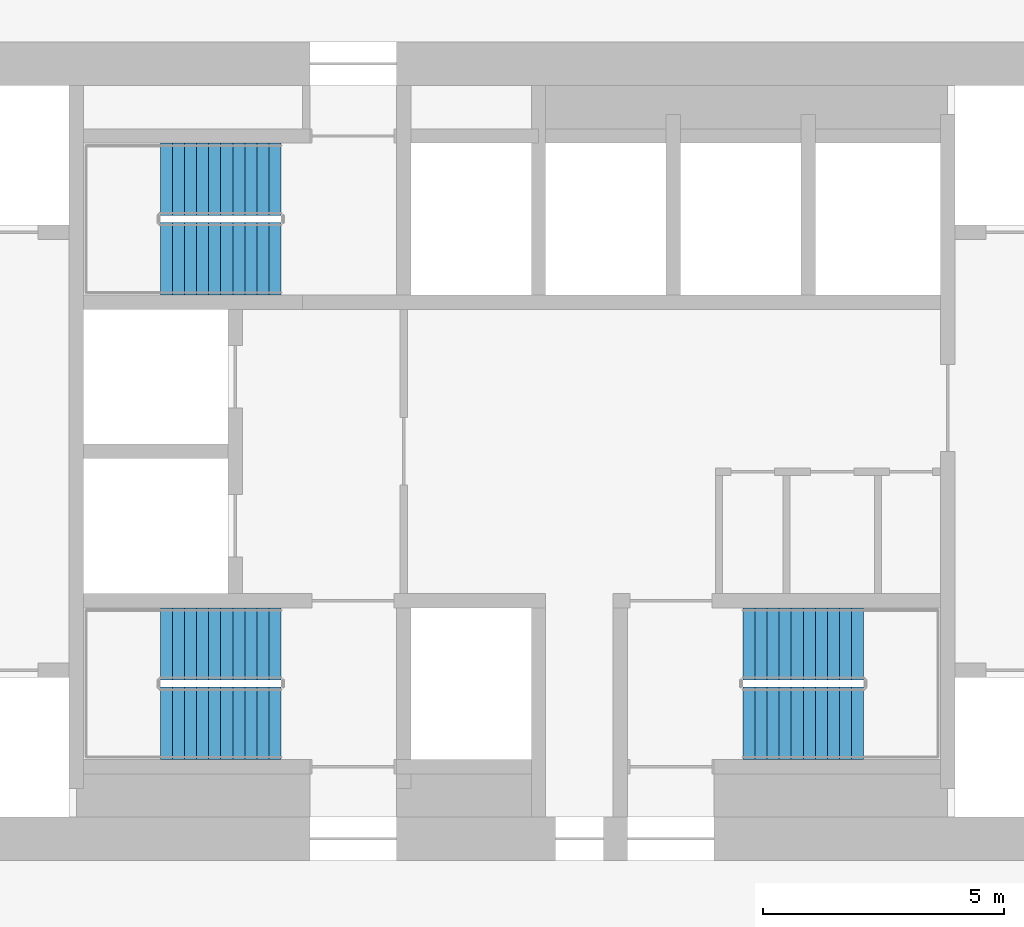
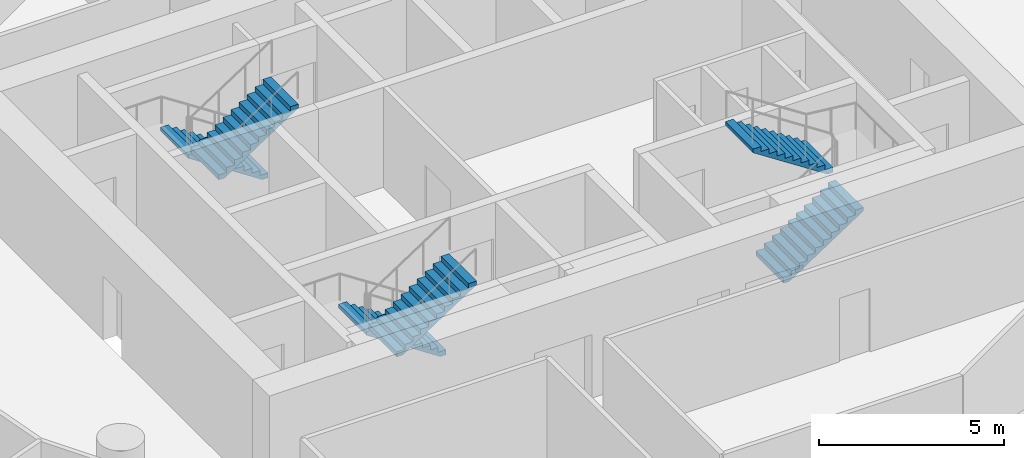
# One storey, part 8 of 9: 6 stair flights, 3 elements without a shape of their own.
"""IFC4 building model written with IfcOpenShell, lengths in metres."""

from ifc_helpers import new_model, si_unit, direction, frame, origin, place, context, subcontext, project, spatial, polyline, outline, extrude, material, type_object, element, aggregate, save


model = new_model("IFC4")

# Units and contexts
model_context = context("Model", 3, precision=1e-05, world=origin(), true_north=direction((0.0, 1.0)))
body_context = subcontext(model_context, "Body", "Model", "MODEL_VIEW")
ifc_project = project(units=[si_unit("LENGTHUNIT", "METRE"), si_unit("AREAUNIT", "SQUARE_METRE"), si_unit("VOLUMEUNIT", "CUBIC_METRE"), si_unit("PLANEANGLEUNIT", "RADIAN"), si_unit("MASSUNIT", "GRAM", prefix="KILO")], contexts=[model_context])

# Site, building, storey
site_placement = place(None, origin())
site = spatial("IfcSite", under=ifc_project, at=site_placement, CompositionType="ELEMENT")
building_placement = place(site_placement, origin())
building = spatial("IfcBuilding", under=site, at=building_placement, Name="Tracery Tower", CompositionType="ELEMENT")
storey_placement = place(building_placement, frame((0.0, 0.0, 169.199951171875)))
storey = spatial("IfcBuildingStorey", under=building, at=storey_placement, Name="L43", CompositionType="ELEMENT", Elevation=169.199951171875)

# Stair, stair flights
ifc_material_1 = material(Name="Concrete C32/40", Category="concrete")
stair_type = type_object("IfcStairType", Name="Core stair 22 risers", PredefinedType="HALF_TURN_STAIR", material=ifc_material_1)
stair_1_placement = place(storey_placement, origin())
stair_1 = element("IfcStair", 1, at=stair_1_placement, inside=storey, type_object=stair_type, Name="L43 stair ST1", PredefinedType="HALF_TURN_STAIR")
ifc_material_2 = material(Name="Concrete C32/40", Category="concrete")
stair_flight_type = type_object("IfcStairFlightType", Name="Core stair flight 11 risers", PredefinedType="STRAIGHT", material=ifc_material_2)
stair_flight_1_placement = place(storey_placement, frame((-4.800048828125, -4.0, 0.0), z_axis=(0.0, 0.0, 1.0), x_axis=(-1.0, 0.0, 0.0)))
stair_flight_1 = element("IfcStairFlight", 2, at=stair_flight_1_placement, type_object=stair_flight_type, Name="ST1 flight 1", NumberOfRisers=11, NumberOfTreads=10, PredefinedType="STRAIGHT", RiserHeight=0.163636364, TreadLength=0.25, context=body_context, shape_type="SweptSolid", body=[
    extrude(outline(polyline([(0.0, 0.0), (0.0, 0.002685546875), (0.0, 0.00537109375), (0.0, 0.008056640625), (0.0, 0.0107421875), (0.0, 0.013427734375), (0.0, 0.01611328125), (0.0, 0.018798828125), (0.0, 0.021484375), (0.0, 0.024169921875), (0.0, 0.02685546875), (0.0, 0.029541015625), (0.0, 0.0322265625), (0.0, 0.034912109375), (0.0, 0.03759765625), (0.0, 0.040283203125), (0.0, 0.04296875), (0.0, 0.045654296875), (0.0, 0.04833984375), (0.0, 0.051025390625), (0.0, 0.0537109375), (0.0, 0.056396484375), (0.0, 0.05908203125), (0.0, 0.061767578125), (0.0, 0.064453125), (0.0, 0.067138671875), (0.0, 0.06982421875), (0.0, 0.072509765625), (0.0, 0.0751953125), (0.0, 0.077880859375), (0.0, 0.08056640625), (0.0, 0.083251953125), (0.0, 0.0859375), (0.0, 0.088623046875), (0.0, 0.09130859375), (0.0, 0.093994140625), (0.0, 0.0966796875), (0.0, 0.099365234375), (0.0, 0.10205078125), (0.0, 0.104736328125), (0.0, 0.107421875), (0.0, 0.10986328125), (0.0, 0.112548828125), (0.0, 0.115234375), (0.0, 0.117919921875), (0.0, 0.12060546875), (0.0, 0.123291015625), (0.0, 0.1259765625), (0.0, 0.128662109375), (0.0, 0.13134765625), (0.0, 0.134033203125), (0.0, 0.13671875), (0.0, 0.139404296875), (0.0, 0.14208984375), (0.0, 0.144775390625), (0.0, 0.1474609375), (0.0, 0.150146484375), (0.0, 0.15283203125), (0.0, 0.155517578125), (0.0, 0.158203125), (0.0, 0.160888671875), (0.0, 0.16357421875), (0.25, 0.16357421875), (0.25, 0.327392578125), (0.5, 0.327392578125), (0.5, 0.490966796875), (0.75, 0.490966796875), (0.75, 0.654541015625), (1.0, 0.654541015625), (1.0, 0.818115234375), (1.25, 0.818115234375), (1.25, 0.98193359375), (1.5, 0.98193359375), (1.5, 1.1455078125), (1.75, 1.1455078125), (1.75, 1.30908203125), (2.0, 1.30908203125), (2.0, 1.47265625), (2.25, 1.47265625), (2.25, 1.636474609375), (2.5, 1.636474609375), (2.5, 1.634521484375), (2.5, 1.63232421875), (2.5, 1.63037109375), (2.5, 1.62841796875), (2.5, 1.62646484375), (2.5, 1.62451171875), (2.5, 1.62255859375), (2.5, 1.62060546875), (2.5, 1.61865234375), (2.5, 1.61669921875), (2.5, 1.61474609375), (2.5, 1.61279296875), (2.5, 1.61083984375), (2.5, 1.60888671875), (2.5, 1.60693359375), (2.5, 1.60498046875), (2.5, 1.60302734375), (2.5, 1.60107421875), (2.5, 1.59912109375), (2.5, 1.59716796875), (2.5, 1.59521484375), (2.5, 1.59326171875), (2.5, 1.59130859375), (2.5, 1.58935546875), (2.5, 1.58740234375), (2.5, 1.58544921875), (2.5, 1.58349609375), (2.5, 1.58154296875), (2.5, 1.57958984375), (2.5, 1.57763671875), (2.5, 1.57568359375), (2.5, 1.573486328125), (2.5, 1.571533203125), (2.5, 1.569580078125), (2.5, 1.567626953125), (2.5, 1.565673828125), (2.5, 1.563720703125), (2.5, 1.561767578125), (2.5, 1.559814453125), (2.5, 1.557861328125), (2.5, 1.555908203125), (2.5, 1.553955078125), (2.5, 1.552001953125), (2.5, 1.550048828125), (2.5, 1.548095703125), (2.5, 1.546142578125), (2.5, 1.544189453125), (2.5, 1.542236328125), (2.5, 1.540283203125), (2.5, 1.538330078125), (2.5, 1.536376953125), (2.5, 1.534423828125), (2.5, 1.532470703125), (2.5, 1.530517578125), (2.5, 1.528564453125), (2.5, 1.526611328125), (2.5, 1.524658203125), (2.5, 1.522705078125), (2.5, 1.520751953125), (2.5, 1.518798828125), (2.5, 1.516845703125), (0.182861328125, 0.0), (0.0, 0.0)])), frame((0.0, 0.75, 0.0), z_axis=(0.0, -1.0, 0.0), x_axis=(1.0, 0.0, 0.0)), (0.0, 0.0, 1.0), 1.5),
])
stair_flight_2_placement = place(storey_placement, frame((-7.300048828125, -5.64990234375, 1.800048828125), z_axis=(0.0, 0.0, 1.0), x_axis=(1.0, 0.0, 0.0)))
stair_flight_2 = element("IfcStairFlight", 3, at=stair_flight_2_placement, type_object=stair_flight_type, Name="ST1 flight 2", NumberOfRisers=11, NumberOfTreads=10, PredefinedType="STRAIGHT", RiserHeight=0.163636364, TreadLength=0.25, context=body_context, shape_type="SweptSolid", body=[
    extrude(outline(polyline([(0.0, 0.0), (0.0, 0.002685546875), (0.0, 0.00537109375), (0.0, 0.008056640625), (0.0, 0.0107421875), (0.0, 0.013427734375), (0.0, 0.01611328125), (0.0, 0.018798828125), (0.0, 0.021484375), (0.0, 0.024169921875), (0.0, 0.02685546875), (0.0, 0.029541015625), (0.0, 0.0322265625), (0.0, 0.034912109375), (0.0, 0.03759765625), (0.0, 0.040283203125), (0.0, 0.04296875), (0.0, 0.045654296875), (0.0, 0.04833984375), (0.0, 0.051025390625), (0.0, 0.0537109375), (0.0, 0.056396484375), (0.0, 0.05908203125), (0.0, 0.061767578125), (0.0, 0.064453125), (0.0, 0.067138671875), (0.0, 0.06982421875), (0.0, 0.072509765625), (0.0, 0.0751953125), (0.0, 0.077880859375), (0.0, 0.08056640625), (0.0, 0.083251953125), (0.0, 0.0859375), (0.0, 0.088623046875), (0.0, 0.09130859375), (0.0, 0.093994140625), (0.0, 0.0966796875), (0.0, 0.099365234375), (0.0, 0.10205078125), (0.0, 0.104736328125), (0.0, 0.107421875), (0.0, 0.10986328125), (0.0, 0.112548828125), (0.0, 0.115234375), (0.0, 0.117919921875), (0.0, 0.12060546875), (0.0, 0.123291015625), (0.0, 0.1259765625), (0.0, 0.128662109375), (0.0, 0.13134765625), (0.0, 0.134033203125), (0.0, 0.13671875), (0.0, 0.139404296875), (0.0, 0.14208984375), (0.0, 0.144775390625), (0.0, 0.1474609375), (0.0, 0.150146484375), (0.0, 0.15283203125), (0.0, 0.155517578125), (0.0, 0.158203125), (0.0, 0.160888671875), (0.0, 0.16357421875), (0.25, 0.16357421875), (0.25, 0.327392578125), (0.5, 0.327392578125), (0.5, 0.490966796875), (0.75, 0.490966796875), (0.75, 0.654541015625), (1.0, 0.654541015625), (1.0, 0.818115234375), (1.25, 0.818115234375), (1.25, 0.98193359375), (1.5, 0.98193359375), (1.5, 1.1455078125), (1.75, 1.1455078125), (1.75, 1.30908203125), (2.0, 1.30908203125), (2.0, 1.47265625), (2.25, 1.47265625), (2.25, 1.636474609375), (2.5, 1.636474609375), (2.5, 1.634521484375), (2.5, 1.63232421875), (2.5, 1.63037109375), (2.5, 1.62841796875), (2.5, 1.62646484375), (2.5, 1.62451171875), (2.5, 1.62255859375), (2.5, 1.62060546875), (2.5, 1.61865234375), (2.5, 1.61669921875), (2.5, 1.61474609375), (2.5, 1.61279296875), (2.5, 1.61083984375), (2.5, 1.60888671875), (2.5, 1.60693359375), (2.5, 1.60498046875), (2.5, 1.60302734375), (2.5, 1.60107421875), (2.5, 1.59912109375), (2.5, 1.59716796875), (2.5, 1.59521484375), (2.5, 1.59326171875), (2.5, 1.59130859375), (2.5, 1.58935546875), (2.5, 1.58740234375), (2.5, 1.58544921875), (2.5, 1.58349609375), (2.5, 1.58154296875), (2.5, 1.57958984375), (2.5, 1.57763671875), (2.5, 1.57568359375), (2.5, 1.573486328125), (2.5, 1.571533203125), (2.5, 1.569580078125), (2.5, 1.567626953125), (2.5, 1.565673828125), (2.5, 1.563720703125), (2.5, 1.561767578125), (2.5, 1.559814453125), (2.5, 1.557861328125), (2.5, 1.555908203125), (2.5, 1.553955078125), (2.5, 1.552001953125), (2.5, 1.550048828125), (2.5, 1.548095703125), (2.5, 1.546142578125), (2.5, 1.544189453125), (2.5, 1.542236328125), (2.5, 1.540283203125), (2.5, 1.538330078125), (2.5, 1.536376953125), (2.5, 1.534423828125), (2.5, 1.532470703125), (2.5, 1.530517578125), (2.5, 1.528564453125), (2.5, 1.526611328125), (2.5, 1.524658203125), (2.5, 1.522705078125), (2.5, 1.520751953125), (2.5, 1.518798828125), (2.5, 1.516845703125), (0.182861328125, 0.0), (0.0, 0.0)])), frame((0.0, 0.75, 0.0), z_axis=(0.0, -1.0, 0.0), x_axis=(1.0, 0.0, 0.0)), (0.0, 0.0, 1.0), 1.5),
])
aggregate(stair_1, [stair_flight_1, stair_flight_2])

stair_2_placement = place(storey_placement, origin())
stair_2 = element("IfcStair", 4, at=stair_2_placement, inside=storey, type_object=stair_type, Name="L43 stair ST3", PredefinedType="HALF_TURN_STAIR")
stair_flight_3_placement = place(storey_placement, frame((-4.800048828125, 5.64990234375, 0.0), z_axis=(0.0, 0.0, 1.0), x_axis=(-1.0, 0.0, 0.0)))
stair_flight_3 = element("IfcStairFlight", 5, at=stair_flight_3_placement, type_object=stair_flight_type, Name="ST3 flight 1", NumberOfRisers=11, NumberOfTreads=10, PredefinedType="STRAIGHT", RiserHeight=0.163636364, TreadLength=0.25, context=body_context, shape_type="SweptSolid", body=[
    extrude(outline(polyline([(0.0, 0.0), (0.0, 0.002685546875), (0.0, 0.00537109375), (0.0, 0.008056640625), (0.0, 0.0107421875), (0.0, 0.013427734375), (0.0, 0.01611328125), (0.0, 0.018798828125), (0.0, 0.021484375), (0.0, 0.024169921875), (0.0, 0.02685546875), (0.0, 0.029541015625), (0.0, 0.0322265625), (0.0, 0.034912109375), (0.0, 0.03759765625), (0.0, 0.040283203125), (0.0, 0.04296875), (0.0, 0.045654296875), (0.0, 0.04833984375), (0.0, 0.051025390625), (0.0, 0.0537109375), (0.0, 0.056396484375), (0.0, 0.05908203125), (0.0, 0.061767578125), (0.0, 0.064453125), (0.0, 0.067138671875), (0.0, 0.06982421875), (0.0, 0.072509765625), (0.0, 0.0751953125), (0.0, 0.077880859375), (0.0, 0.08056640625), (0.0, 0.083251953125), (0.0, 0.0859375), (0.0, 0.088623046875), (0.0, 0.09130859375), (0.0, 0.093994140625), (0.0, 0.0966796875), (0.0, 0.099365234375), (0.0, 0.10205078125), (0.0, 0.104736328125), (0.0, 0.107421875), (0.0, 0.10986328125), (0.0, 0.112548828125), (0.0, 0.115234375), (0.0, 0.117919921875), (0.0, 0.12060546875), (0.0, 0.123291015625), (0.0, 0.1259765625), (0.0, 0.128662109375), (0.0, 0.13134765625), (0.0, 0.134033203125), (0.0, 0.13671875), (0.0, 0.139404296875), (0.0, 0.14208984375), (0.0, 0.144775390625), (0.0, 0.1474609375), (0.0, 0.150146484375), (0.0, 0.15283203125), (0.0, 0.155517578125), (0.0, 0.158203125), (0.0, 0.160888671875), (0.0, 0.16357421875), (0.25, 0.16357421875), (0.25, 0.327392578125), (0.5, 0.327392578125), (0.5, 0.490966796875), (0.75, 0.490966796875), (0.75, 0.654541015625), (1.0, 0.654541015625), (1.0, 0.818115234375), (1.25, 0.818115234375), (1.25, 0.98193359375), (1.5, 0.98193359375), (1.5, 1.1455078125), (1.75, 1.1455078125), (1.75, 1.30908203125), (2.0, 1.30908203125), (2.0, 1.47265625), (2.25, 1.47265625), (2.25, 1.636474609375), (2.5, 1.636474609375), (2.5, 1.634521484375), (2.5, 1.63232421875), (2.5, 1.63037109375), (2.5, 1.62841796875), (2.5, 1.62646484375), (2.5, 1.62451171875), (2.5, 1.62255859375), (2.5, 1.62060546875), (2.5, 1.61865234375), (2.5, 1.61669921875), (2.5, 1.61474609375), (2.5, 1.61279296875), (2.5, 1.61083984375), (2.5, 1.60888671875), (2.5, 1.60693359375), (2.5, 1.60498046875), (2.5, 1.60302734375), (2.5, 1.60107421875), (2.5, 1.59912109375), (2.5, 1.59716796875), (2.5, 1.59521484375), (2.5, 1.59326171875), (2.5, 1.59130859375), (2.5, 1.58935546875), (2.5, 1.58740234375), (2.5, 1.58544921875), (2.5, 1.58349609375), (2.5, 1.58154296875), (2.5, 1.57958984375), (2.5, 1.57763671875), (2.5, 1.57568359375), (2.5, 1.573486328125), (2.5, 1.571533203125), (2.5, 1.569580078125), (2.5, 1.567626953125), (2.5, 1.565673828125), (2.5, 1.563720703125), (2.5, 1.561767578125), (2.5, 1.559814453125), (2.5, 1.557861328125), (2.5, 1.555908203125), (2.5, 1.553955078125), (2.5, 1.552001953125), (2.5, 1.550048828125), (2.5, 1.548095703125), (2.5, 1.546142578125), (2.5, 1.544189453125), (2.5, 1.542236328125), (2.5, 1.540283203125), (2.5, 1.538330078125), (2.5, 1.536376953125), (2.5, 1.534423828125), (2.5, 1.532470703125), (2.5, 1.530517578125), (2.5, 1.528564453125), (2.5, 1.526611328125), (2.5, 1.524658203125), (2.5, 1.522705078125), (2.5, 1.520751953125), (2.5, 1.518798828125), (2.5, 1.516845703125), (0.182861328125, 0.0), (0.0, 0.0)])), frame((0.0, 0.75, 0.0), z_axis=(0.0, -1.0, 0.0), x_axis=(1.0, 0.0, 0.0)), (0.0, 0.0, 1.0), 1.5),
])
stair_flight_4_placement = place(storey_placement, frame((-7.300048828125, 4.0, 1.800048828125), z_axis=(0.0, 0.0, 1.0), x_axis=(1.0, 0.0, 0.0)))
stair_flight_4 = element("IfcStairFlight", 6, at=stair_flight_4_placement, type_object=stair_flight_type, Name="ST3 flight 2", NumberOfRisers=11, NumberOfTreads=10, PredefinedType="STRAIGHT", RiserHeight=0.163636364, TreadLength=0.25, context=body_context, shape_type="SweptSolid", body=[
    extrude(outline(polyline([(0.0, 0.0), (0.0, 0.002685546875), (0.0, 0.00537109375), (0.0, 0.008056640625), (0.0, 0.0107421875), (0.0, 0.013427734375), (0.0, 0.01611328125), (0.0, 0.018798828125), (0.0, 0.021484375), (0.0, 0.024169921875), (0.0, 0.02685546875), (0.0, 0.029541015625), (0.0, 0.0322265625), (0.0, 0.034912109375), (0.0, 0.03759765625), (0.0, 0.040283203125), (0.0, 0.04296875), (0.0, 0.045654296875), (0.0, 0.04833984375), (0.0, 0.051025390625), (0.0, 0.0537109375), (0.0, 0.056396484375), (0.0, 0.05908203125), (0.0, 0.061767578125), (0.0, 0.064453125), (0.0, 0.067138671875), (0.0, 0.06982421875), (0.0, 0.072509765625), (0.0, 0.0751953125), (0.0, 0.077880859375), (0.0, 0.08056640625), (0.0, 0.083251953125), (0.0, 0.0859375), (0.0, 0.088623046875), (0.0, 0.09130859375), (0.0, 0.093994140625), (0.0, 0.0966796875), (0.0, 0.099365234375), (0.0, 0.10205078125), (0.0, 0.104736328125), (0.0, 0.107421875), (0.0, 0.10986328125), (0.0, 0.112548828125), (0.0, 0.115234375), (0.0, 0.117919921875), (0.0, 0.12060546875), (0.0, 0.123291015625), (0.0, 0.1259765625), (0.0, 0.128662109375), (0.0, 0.13134765625), (0.0, 0.134033203125), (0.0, 0.13671875), (0.0, 0.139404296875), (0.0, 0.14208984375), (0.0, 0.144775390625), (0.0, 0.1474609375), (0.0, 0.150146484375), (0.0, 0.15283203125), (0.0, 0.155517578125), (0.0, 0.158203125), (0.0, 0.160888671875), (0.0, 0.16357421875), (0.25, 0.16357421875), (0.25, 0.327392578125), (0.5, 0.327392578125), (0.5, 0.490966796875), (0.75, 0.490966796875), (0.75, 0.654541015625), (1.0, 0.654541015625), (1.0, 0.818115234375), (1.25, 0.818115234375), (1.25, 0.98193359375), (1.5, 0.98193359375), (1.5, 1.1455078125), (1.75, 1.1455078125), (1.75, 1.30908203125), (2.0, 1.30908203125), (2.0, 1.47265625), (2.25, 1.47265625), (2.25, 1.636474609375), (2.5, 1.636474609375), (2.5, 1.634521484375), (2.5, 1.63232421875), (2.5, 1.63037109375), (2.5, 1.62841796875), (2.5, 1.62646484375), (2.5, 1.62451171875), (2.5, 1.62255859375), (2.5, 1.62060546875), (2.5, 1.61865234375), (2.5, 1.61669921875), (2.5, 1.61474609375), (2.5, 1.61279296875), (2.5, 1.61083984375), (2.5, 1.60888671875), (2.5, 1.60693359375), (2.5, 1.60498046875), (2.5, 1.60302734375), (2.5, 1.60107421875), (2.5, 1.59912109375), (2.5, 1.59716796875), (2.5, 1.59521484375), (2.5, 1.59326171875), (2.5, 1.59130859375), (2.5, 1.58935546875), (2.5, 1.58740234375), (2.5, 1.58544921875), (2.5, 1.58349609375), (2.5, 1.58154296875), (2.5, 1.57958984375), (2.5, 1.57763671875), (2.5, 1.57568359375), (2.5, 1.573486328125), (2.5, 1.571533203125), (2.5, 1.569580078125), (2.5, 1.567626953125), (2.5, 1.565673828125), (2.5, 1.563720703125), (2.5, 1.561767578125), (2.5, 1.559814453125), (2.5, 1.557861328125), (2.5, 1.555908203125), (2.5, 1.553955078125), (2.5, 1.552001953125), (2.5, 1.550048828125), (2.5, 1.548095703125), (2.5, 1.546142578125), (2.5, 1.544189453125), (2.5, 1.542236328125), (2.5, 1.540283203125), (2.5, 1.538330078125), (2.5, 1.536376953125), (2.5, 1.534423828125), (2.5, 1.532470703125), (2.5, 1.530517578125), (2.5, 1.528564453125), (2.5, 1.526611328125), (2.5, 1.524658203125), (2.5, 1.522705078125), (2.5, 1.520751953125), (2.5, 1.518798828125), (2.5, 1.516845703125), (0.182861328125, 0.0), (0.0, 0.0)])), frame((0.0, 0.75, 0.0), z_axis=(0.0, -1.0, 0.0), x_axis=(1.0, 0.0, 0.0)), (0.0, 0.0, 1.0), 1.5),
])
aggregate(stair_2, [stair_flight_3, stair_flight_4])

stair_3_placement = place(storey_placement, origin())
stair_3 = element("IfcStair", 7, at=stair_3_placement, inside=storey, type_object=stair_type, Name="L43 stair ST2", PredefinedType="HALF_TURN_STAIR")
stair_flight_5_placement = place(storey_placement, frame((4.800048828125, -5.64990234375, 0.0), z_axis=(0.0, 0.0, 1.0), x_axis=(1.0, 0.0, 0.0)))
stair_flight_5 = element("IfcStairFlight", 8, at=stair_flight_5_placement, type_object=stair_flight_type, Name="ST2 flight 1", NumberOfRisers=11, NumberOfTreads=10, PredefinedType="STRAIGHT", RiserHeight=0.163636364, TreadLength=0.25, context=body_context, shape_type="SweptSolid", body=[
    extrude(outline(polyline([(0.0, 0.0), (0.0, 0.002685546875), (0.0, 0.00537109375), (0.0, 0.008056640625), (0.0, 0.0107421875), (0.0, 0.013427734375), (0.0, 0.01611328125), (0.0, 0.018798828125), (0.0, 0.021484375), (0.0, 0.024169921875), (0.0, 0.02685546875), (0.0, 0.029541015625), (0.0, 0.0322265625), (0.0, 0.034912109375), (0.0, 0.03759765625), (0.0, 0.040283203125), (0.0, 0.04296875), (0.0, 0.045654296875), (0.0, 0.04833984375), (0.0, 0.051025390625), (0.0, 0.0537109375), (0.0, 0.056396484375), (0.0, 0.05908203125), (0.0, 0.061767578125), (0.0, 0.064453125), (0.0, 0.067138671875), (0.0, 0.06982421875), (0.0, 0.072509765625), (0.0, 0.0751953125), (0.0, 0.077880859375), (0.0, 0.08056640625), (0.0, 0.083251953125), (0.0, 0.0859375), (0.0, 0.088623046875), (0.0, 0.09130859375), (0.0, 0.093994140625), (0.0, 0.0966796875), (0.0, 0.099365234375), (0.0, 0.10205078125), (0.0, 0.104736328125), (0.0, 0.107421875), (0.0, 0.10986328125), (0.0, 0.112548828125), (0.0, 0.115234375), (0.0, 0.117919921875), (0.0, 0.12060546875), (0.0, 0.123291015625), (0.0, 0.1259765625), (0.0, 0.128662109375), (0.0, 0.13134765625), (0.0, 0.134033203125), (0.0, 0.13671875), (0.0, 0.139404296875), (0.0, 0.14208984375), (0.0, 0.144775390625), (0.0, 0.1474609375), (0.0, 0.150146484375), (0.0, 0.15283203125), (0.0, 0.155517578125), (0.0, 0.158203125), (0.0, 0.160888671875), (0.0, 0.16357421875), (0.25, 0.16357421875), (0.25, 0.327392578125), (0.5, 0.327392578125), (0.5, 0.490966796875), (0.75, 0.490966796875), (0.75, 0.654541015625), (1.0, 0.654541015625), (1.0, 0.818115234375), (1.25, 0.818115234375), (1.25, 0.98193359375), (1.5, 0.98193359375), (1.5, 1.1455078125), (1.75, 1.1455078125), (1.75, 1.30908203125), (2.0, 1.30908203125), (2.0, 1.47265625), (2.25, 1.47265625), (2.25, 1.636474609375), (2.5, 1.636474609375), (2.5, 1.634521484375), (2.5, 1.63232421875), (2.5, 1.63037109375), (2.5, 1.62841796875), (2.5, 1.62646484375), (2.5, 1.62451171875), (2.5, 1.62255859375), (2.5, 1.62060546875), (2.5, 1.61865234375), (2.5, 1.61669921875), (2.5, 1.61474609375), (2.5, 1.61279296875), (2.5, 1.61083984375), (2.5, 1.60888671875), (2.5, 1.60693359375), (2.5, 1.60498046875), (2.5, 1.60302734375), (2.5, 1.60107421875), (2.5, 1.59912109375), (2.5, 1.59716796875), (2.5, 1.59521484375), (2.5, 1.59326171875), (2.5, 1.59130859375), (2.5, 1.58935546875), (2.5, 1.58740234375), (2.5, 1.58544921875), (2.5, 1.58349609375), (2.5, 1.58154296875), (2.5, 1.57958984375), (2.5, 1.57763671875), (2.5, 1.57568359375), (2.5, 1.573486328125), (2.5, 1.571533203125), (2.5, 1.569580078125), (2.5, 1.567626953125), (2.5, 1.565673828125), (2.5, 1.563720703125), (2.5, 1.561767578125), (2.5, 1.559814453125), (2.5, 1.557861328125), (2.5, 1.555908203125), (2.5, 1.553955078125), (2.5, 1.552001953125), (2.5, 1.550048828125), (2.5, 1.548095703125), (2.5, 1.546142578125), (2.5, 1.544189453125), (2.5, 1.542236328125), (2.5, 1.540283203125), (2.5, 1.538330078125), (2.5, 1.536376953125), (2.5, 1.534423828125), (2.5, 1.532470703125), (2.5, 1.530517578125), (2.5, 1.528564453125), (2.5, 1.526611328125), (2.5, 1.524658203125), (2.5, 1.522705078125), (2.5, 1.520751953125), (2.5, 1.518798828125), (2.5, 1.516845703125), (0.182861328125, 0.0), (0.0, 0.0)])), frame((0.0, 0.75, 0.0), z_axis=(0.0, -1.0, 0.0), x_axis=(1.0, 0.0, 0.0)), (0.0, 0.0, 1.0), 1.5),
])
stair_flight_6_placement = place(storey_placement, frame((7.300048828125, -4.0, 1.800048828125), z_axis=(0.0, 0.0, 1.0), x_axis=(-1.0, 0.0, 0.0)))
stair_flight_6 = element("IfcStairFlight", 9, at=stair_flight_6_placement, type_object=stair_flight_type, Name="ST2 flight 2", NumberOfRisers=11, NumberOfTreads=10, PredefinedType="STRAIGHT", RiserHeight=0.163636364, TreadLength=0.25, context=body_context, shape_type="SweptSolid", body=[
    extrude(outline(polyline([(0.0, 0.0), (0.0, 0.002685546875), (0.0, 0.00537109375), (0.0, 0.008056640625), (0.0, 0.0107421875), (0.0, 0.013427734375), (0.0, 0.01611328125), (0.0, 0.018798828125), (0.0, 0.021484375), (0.0, 0.024169921875), (0.0, 0.02685546875), (0.0, 0.029541015625), (0.0, 0.0322265625), (0.0, 0.034912109375), (0.0, 0.03759765625), (0.0, 0.040283203125), (0.0, 0.04296875), (0.0, 0.045654296875), (0.0, 0.04833984375), (0.0, 0.051025390625), (0.0, 0.0537109375), (0.0, 0.056396484375), (0.0, 0.05908203125), (0.0, 0.061767578125), (0.0, 0.064453125), (0.0, 0.067138671875), (0.0, 0.06982421875), (0.0, 0.072509765625), (0.0, 0.0751953125), (0.0, 0.077880859375), (0.0, 0.08056640625), (0.0, 0.083251953125), (0.0, 0.0859375), (0.0, 0.088623046875), (0.0, 0.09130859375), (0.0, 0.093994140625), (0.0, 0.0966796875), (0.0, 0.099365234375), (0.0, 0.10205078125), (0.0, 0.104736328125), (0.0, 0.107421875), (0.0, 0.10986328125), (0.0, 0.112548828125), (0.0, 0.115234375), (0.0, 0.117919921875), (0.0, 0.12060546875), (0.0, 0.123291015625), (0.0, 0.1259765625), (0.0, 0.128662109375), (0.0, 0.13134765625), (0.0, 0.134033203125), (0.0, 0.13671875), (0.0, 0.139404296875), (0.0, 0.14208984375), (0.0, 0.144775390625), (0.0, 0.1474609375), (0.0, 0.150146484375), (0.0, 0.15283203125), (0.0, 0.155517578125), (0.0, 0.158203125), (0.0, 0.160888671875), (0.0, 0.16357421875), (0.25, 0.16357421875), (0.25, 0.327392578125), (0.5, 0.327392578125), (0.5, 0.490966796875), (0.75, 0.490966796875), (0.75, 0.654541015625), (1.0, 0.654541015625), (1.0, 0.818115234375), (1.25, 0.818115234375), (1.25, 0.98193359375), (1.5, 0.98193359375), (1.5, 1.1455078125), (1.75, 1.1455078125), (1.75, 1.30908203125), (2.0, 1.30908203125), (2.0, 1.47265625), (2.25, 1.47265625), (2.25, 1.636474609375), (2.5, 1.636474609375), (2.5, 1.634521484375), (2.5, 1.63232421875), (2.5, 1.63037109375), (2.5, 1.62841796875), (2.5, 1.62646484375), (2.5, 1.62451171875), (2.5, 1.62255859375), (2.5, 1.62060546875), (2.5, 1.61865234375), (2.5, 1.61669921875), (2.5, 1.61474609375), (2.5, 1.61279296875), (2.5, 1.61083984375), (2.5, 1.60888671875), (2.5, 1.60693359375), (2.5, 1.60498046875), (2.5, 1.60302734375), (2.5, 1.60107421875), (2.5, 1.59912109375), (2.5, 1.59716796875), (2.5, 1.59521484375), (2.5, 1.59326171875), (2.5, 1.59130859375), (2.5, 1.58935546875), (2.5, 1.58740234375), (2.5, 1.58544921875), (2.5, 1.58349609375), (2.5, 1.58154296875), (2.5, 1.57958984375), (2.5, 1.57763671875), (2.5, 1.57568359375), (2.5, 1.573486328125), (2.5, 1.571533203125), (2.5, 1.569580078125), (2.5, 1.567626953125), (2.5, 1.565673828125), (2.5, 1.563720703125), (2.5, 1.561767578125), (2.5, 1.559814453125), (2.5, 1.557861328125), (2.5, 1.555908203125), (2.5, 1.553955078125), (2.5, 1.552001953125), (2.5, 1.550048828125), (2.5, 1.548095703125), (2.5, 1.546142578125), (2.5, 1.544189453125), (2.5, 1.542236328125), (2.5, 1.540283203125), (2.5, 1.538330078125), (2.5, 1.536376953125), (2.5, 1.534423828125), (2.5, 1.532470703125), (2.5, 1.530517578125), (2.5, 1.528564453125), (2.5, 1.526611328125), (2.5, 1.524658203125), (2.5, 1.522705078125), (2.5, 1.520751953125), (2.5, 1.518798828125), (2.5, 1.516845703125), (0.182861328125, 0.0), (0.0, 0.0)])), frame((0.0, 0.75, 0.0), z_axis=(0.0, -1.0, 0.0), x_axis=(1.0, 0.0, 0.0)), (0.0, 0.0, 1.0), 1.5),
])
aggregate(stair_3, [stair_flight_5, stair_flight_6])

save(model, "model.ifc")
